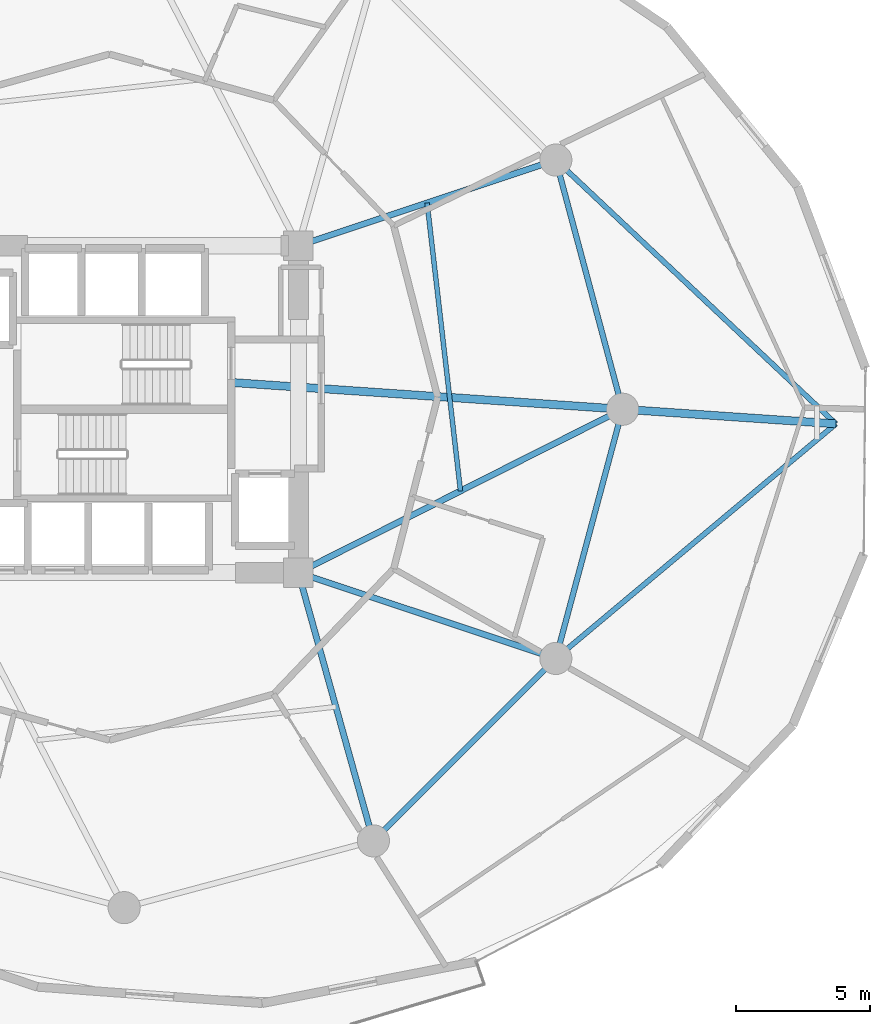
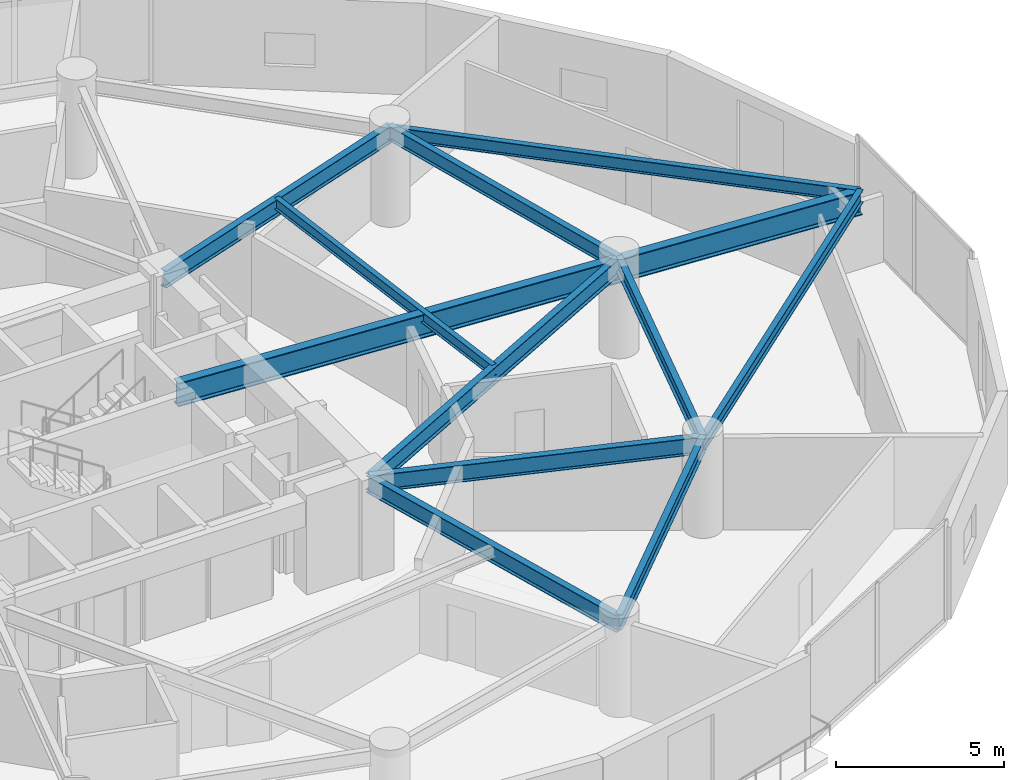
# One storey, part 9 of 20: 12 beams.
"""IFC4 building model written with IfcOpenShell, lengths in metres."""

from ifc_helpers import new_model, si_unit, direction, frame, origin, origin_2d, place, context, subcontext, project, spatial, i_section, extrude, material, material_profile, profile_set, type_object, element, save


model = new_model("IFC4")

# Units and contexts
model_context = context("Model", 3, precision=1e-05, world=origin(), true_north=direction((0.0, 1.0)))
body_context = subcontext(model_context, "Body", "Model", "MODEL_VIEW")
ifc_project = project(units=[si_unit("LENGTHUNIT", "METRE"), si_unit("AREAUNIT", "SQUARE_METRE"), si_unit("VOLUMEUNIT", "CUBIC_METRE"), si_unit("PLANEANGLEUNIT", "RADIAN"), si_unit("MASSUNIT", "GRAM", prefix="KILO")], contexts=[model_context])

# Site, building, storey
site_placement = place(None, origin())
site = spatial("IfcSite", under=ifc_project, at=site_placement, CompositionType="ELEMENT")
building_placement = place(site_placement, origin())
building = spatial("IfcBuilding", under=site, at=building_placement, Name="Solvirekh Grand Hotel", CompositionType="ELEMENT")
storey_placement = place(building_placement, frame((0.0, 0.0, 50.0)))
storey = spatial("IfcBuildingStorey", under=building, at=storey_placement, Name="L11", CompositionType="ELEMENT", Elevation=50.0)

# Beams
ifc_material_1 = material(Name="Steel S460", Category="steel")
ifc_material_profile_1 = material_profile(ifc_material_1, i_section(OverallWidth=0.302001953125, OverallDepth=0.85498046875, WebThickness=0.01904296875, FlangeThickness=0.032958984375, FilletRadius=0.01806640625, at=origin_2d()), Name="W840X299")
ifc_profile_set_1 = profile_set([ifc_material_profile_1], Name="Steel S460")
beam_type_1 = type_object("IfcBeamType", Name="Beam_PoolTie_W840", PredefinedType="BEAM", material=ifc_profile_set_1)
beam_1_placement = place(storey_placement, frame((3.989990234375, 1.0, 2.862060546875), z_axis=(0.997665786866, -0.068285999415, 0.0), x_axis=(0.068285999415, 0.997665786866, 0.0)))
element("IfcBeam", 1, at=beam_1_placement, inside=storey, type_object=beam_type_1, Name="L12 sky-garden back-span tie girder", PredefinedType="BEAM", context=body_context, shape_type="SweptSolid", body=[
    extrude(i_section(OverallWidth=0.302001953125, OverallDepth=0.85498046875, WebThickness=0.01904296875, FlangeThickness=0.032958984375, FilletRadius=0.01806640625, at=origin_2d()), origin(), (0.0, 0.0, 1.0), 14.644287109375),
])
beam_2_placement = place(storey_placement, frame((18.60009765625, 0.0, 2.862060546875), z_axis=(0.997665535799, -0.068289667441, 0.0), x_axis=(0.068289667441, 0.997665535799, 0.0)))
element("IfcBeam", 2, at=beam_2_placement, inside=storey, type_object=beam_type_1, Name="L12 sky-garden primary cantilever bracket", PredefinedType="BEAM", context=body_context, shape_type="SweptSolid", body=[
    extrude(i_section(OverallWidth=0.302001953125, OverallDepth=0.85498046875, WebThickness=0.01904296875, FlangeThickness=0.032958984375, FilletRadius=0.01806640625, at=origin_2d()), origin(), (0.0, 0.0, 1.0), 7.9794921875),
])
ifc_material_2 = material(Name="Steel S355", Category="steel")
ifc_material_profile_2 = material_profile(ifc_material_2, i_section(OverallWidth=0.194091796875, OverallDepth=0.468994140625, WebThickness=0.010986328125, FlangeThickness=0.01904296875, FilletRadius=0.012939453125, at=origin_2d()), Name="W460X106")
ifc_profile_set_2 = profile_set([ifc_material_profile_2], Name="Steel S355")
beam_type_2 = type_object("IfcBeamType", Name="Beam_Radial_W460H", PredefinedType="BEAM", material=ifc_profile_set_2)
beam_3_placement = place(storey_placement, frame((16.10791015625, -9.300048828125, 3.055908203125), z_axis=(0.766625050673, 0.642095033216, 0.0), x_axis=(-0.642095033216, 0.766625050673, 0.0)))
element("IfcBeam", 3, at=beam_3_placement, inside=storey, type_object=beam_type_2, Name="L12 sky-garden edge tie beam 1", PredefinedType="BEAM", context=body_context, shape_type="SweptSolid", body=[
    extrude(i_section(OverallWidth=0.194091796875, OverallDepth=0.468994140625, WebThickness=0.010986328125, FlangeThickness=0.01904296875, FilletRadius=0.012939453125, at=origin_2d()), origin(), (0.0, 0.0, 1.0), 13.63525390625),
])
beam_4_placement = place(storey_placement, frame((16.10791015625, 9.300048828125, 3.055908203125), z_axis=(0.727965850308, -0.685613390174, 0.0), x_axis=(0.685613390174, 0.727965850308, 0.0)))
element("IfcBeam", 4, at=beam_4_placement, inside=storey, type_object=beam_type_2, Name="L12 sky-garden edge tie beam 2", PredefinedType="BEAM", context=body_context, shape_type="SweptSolid", body=[
    extrude(i_section(OverallWidth=0.194091796875, OverallDepth=0.468994140625, WebThickness=0.010986328125, FlangeThickness=0.01904296875, FilletRadius=0.012939453125, at=origin_2d()), origin(), (0.0, 0.0, 1.0), 14.359375),
])
ifc_material_profile_3 = material_profile(ifc_material_2, i_section(OverallWidth=0.22802734375, OverallDepth=0.616943359375, WebThickness=0.012939453125, FlangeThickness=0.02001953125, FilletRadius=0.014892578125, at=origin_2d()), Name="W610X140")
ifc_profile_set_3 = profile_set([ifc_material_profile_3], Name="Steel S355")
beam_type_3 = type_object("IfcBeamType", Name="Beam_Radial_W610", PredefinedType="BEAM", material=ifc_profile_set_3)
beam_5_placement = place(storey_placement, frame((6.5, -6.10009765625, 3.031982421875), z_axis=(0.892944939011, 0.450165898191, 0.0), x_axis=(-0.450165898191, 0.892944939011, 0.0)))
element("IfcBeam", 5, at=beam_5_placement, inside=storey, type_object=beam_type_3, Name="L11 radial floor beam R01", PredefinedType="BEAM", context=body_context, shape_type="SweptSolid", body=[
    extrude(i_section(OverallWidth=0.22802734375, OverallDepth=0.616943359375, WebThickness=0.012939453125, FlangeThickness=0.02001953125, FilletRadius=0.014892578125, at=origin_2d()), origin(), (0.0, 0.0, 1.0), 13.55078125),
])
beam_6_placement = place(storey_placement, frame((6.5, 6.10009765625, 3.031982421875), z_axis=(0.948762825819, 0.315989082635, 0.0), x_axis=(-0.315989082635, 0.948762825819, 0.0)))
element("IfcBeam", 6, at=beam_6_placement, inside=storey, type_object=beam_type_3, Name="L11 radial floor beam R02", PredefinedType="BEAM", context=body_context, shape_type="SweptSolid", body=[
    extrude(i_section(OverallWidth=0.22802734375, OverallDepth=0.616943359375, WebThickness=0.012939453125, FlangeThickness=0.02001953125, FilletRadius=0.014892578125, at=origin_2d()), origin(), (0.0, 0.0, 1.0), 10.126708984375),
])
beam_7_placement = place(storey_placement, frame((6.5, -6.10009765625, 3.031982421875), z_axis=(0.269439084681, -0.963017434757, 0.0), x_axis=(0.963017434757, 0.269439084681, 0.0)))
element("IfcBeam", 7, at=beam_7_placement, inside=storey, type_object=beam_type_3, Name="L11 radial floor beam R11", PredefinedType="BEAM", context=body_context, shape_type="SweptSolid", body=[
    extrude(i_section(OverallWidth=0.22802734375, OverallDepth=0.616943359375, WebThickness=0.012939453125, FlangeThickness=0.02001953125, FilletRadius=0.014892578125, at=origin_2d()), origin(), (0.0, 0.0, 1.0), 10.39208984375),
])
beam_8_placement = place(storey_placement, frame((6.5, -6.10009765625, 3.031982421875), z_axis=(0.948762825819, -0.315989082635, 0.0), x_axis=(0.315989082635, 0.948762825819, 0.0)))
element("IfcBeam", 8, at=beam_8_placement, inside=storey, type_object=beam_type_3, Name="L11 radial floor beam R12", PredefinedType="BEAM", context=body_context, shape_type="SweptSolid", body=[
    extrude(i_section(OverallWidth=0.22802734375, OverallDepth=0.616943359375, WebThickness=0.012939453125, FlangeThickness=0.02001953125, FilletRadius=0.014892578125, at=origin_2d()), origin(), (0.0, 0.0, 1.0), 10.126708984375),
])
ifc_material_profile_4 = material_profile(ifc_material_2, i_section(OverallWidth=0.177978515625, OverallDepth=0.406982421875, WebThickness=0.008056640625, FlangeThickness=0.011962890625, FilletRadius=0.011962890625, at=origin_2d()), Name="W410X60")
ifc_profile_set_4 = profile_set([ifc_material_profile_4], Name="Steel S355")
beam_type_4 = type_object("IfcBeamType", Name="Joist_Floor_W410", PredefinedType="JOIST", material=ifc_profile_set_4)
beam_9_placement = place(storey_placement, frame((12.550048828125, -3.050048828125, 3.136962890625), z_axis=(-0.115144710849, 0.993348728073, 0.0), x_axis=(-0.993348728073, -0.115144710849, 0.0)))
element("IfcBeam", 9, at=beam_9_placement, inside=storey, type_object=beam_type_4, Name="L11 secondary composite floor joist 1", PredefinedType="JOIST", context=body_context, shape_type="SweptSolid", body=[
    extrude(i_section(OverallWidth=0.177978515625, OverallDepth=0.406982421875, WebThickness=0.008056640625, FlangeThickness=0.011962890625, FilletRadius=0.011962890625, at=origin_2d()), origin(), (0.0, 0.0, 1.0), 10.822021484375),
])
ifc_material_profile_5 = material_profile(ifc_material_2, i_section(OverallWidth=0.208984375, OverallDepth=0.532958984375, WebThickness=0.010009765625, FlangeThickness=0.014892578125, FilletRadius=0.013916015625, at=origin_2d()), Name="W530X92")
ifc_profile_set_5 = profile_set([ifc_material_profile_5], Name="Steel S355")
beam_type_5 = type_object("IfcBeamType", Name="Spandrel_Ring_W530", PredefinedType="SPANDREL", material=ifc_profile_set_5)
beam_10_placement = place(storey_placement, frame((18.60009765625, 0.0, 3.073974609375), z_axis=(-0.258842973314, 0.965919414426, 0.0), x_axis=(-0.965919414426, -0.258842973314, 0.0)))
element("IfcBeam", 10, at=beam_10_placement, inside=storey, type_object=beam_type_5, Name="L11 perimeter spandrel beam 1", PredefinedType="SPANDREL", context=body_context, shape_type="SweptSolid", body=[
    extrude(i_section(OverallWidth=0.208984375, OverallDepth=0.532958984375, WebThickness=0.010009765625, FlangeThickness=0.014892578125, FilletRadius=0.013916015625, at=origin_2d()), origin(), (0.0, 0.0, 1.0), 9.628173828125),
])
beam_11_placement = place(storey_placement, frame((9.300048828125, -16.10791015625, 3.073974609375), z_axis=(0.707106781187, 0.707106781187, 0.0), x_axis=(-0.707106781187, 0.707106781187, 0.0)))
element("IfcBeam", 11, at=beam_11_placement, inside=storey, type_object=beam_type_5, Name="L11 perimeter spandrel beam 11", PredefinedType="SPANDREL", context=body_context, shape_type="SweptSolid", body=[
    extrude(i_section(OverallWidth=0.208984375, OverallDepth=0.532958984375, WebThickness=0.010009765625, FlangeThickness=0.014892578125, FilletRadius=0.013916015625, at=origin_2d()), origin(), (0.0, 0.0, 1.0), 9.627685546875),
])
beam_12_placement = place(storey_placement, frame((16.10791015625, -9.300048828125, 3.073974609375), z_axis=(0.258842973314, 0.965919414426, 0.0), x_axis=(-0.965919414426, 0.258842973314, 0.0)))
element("IfcBeam", 12, at=beam_12_placement, inside=storey, type_object=beam_type_5, Name="L11 perimeter spandrel beam 12", PredefinedType="SPANDREL", context=body_context, shape_type="SweptSolid", body=[
    extrude(i_section(OverallWidth=0.208984375, OverallDepth=0.532958984375, WebThickness=0.010009765625, FlangeThickness=0.014892578125, FilletRadius=0.013916015625, at=origin_2d()), origin(), (0.0, 0.0, 1.0), 9.628173828125),
])

save(model, "model.ifc")
